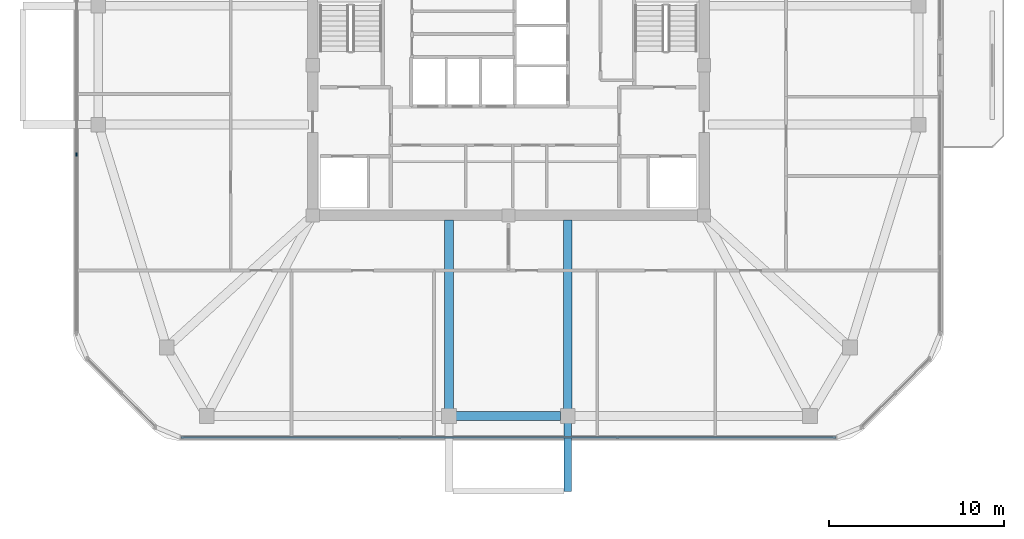
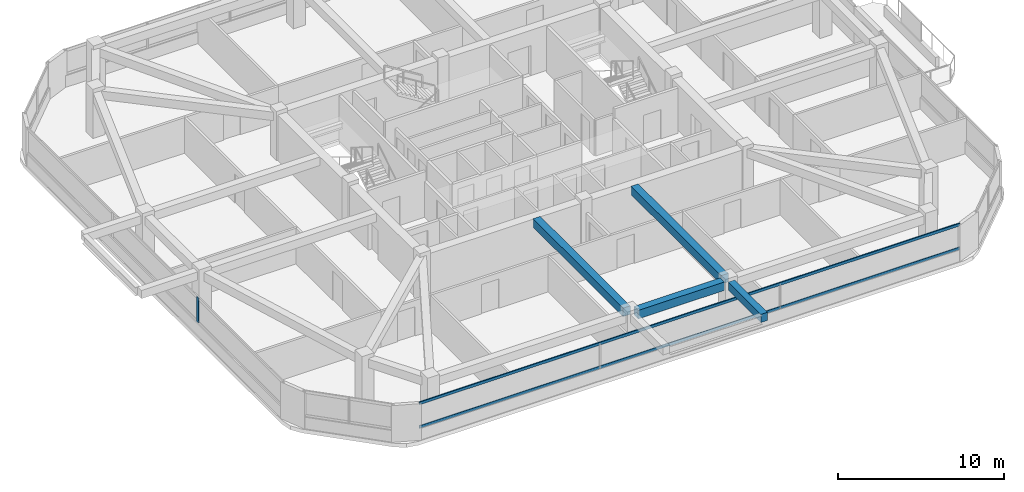
# One storey, part 3 of 14: 4 beams, 3 members, 2 elements without a shape of their own.
"""IFC4 building model written with IfcOpenShell, lengths in metres."""

from ifc_helpers import new_model, si_unit, derived_unit, direction, frame, origin, origin_2d, place, context, subcontext, project, spatial, rectangle, extrude, material, material_profile, profile_set, type_object, element, aggregate, save


model = new_model("IFC4")

# Units and contexts
model_context = context("Model", 3, precision=1e-05, world=origin(), true_north=direction((0.0, 1.0)))
body_context = subcontext(model_context, "Body", "Model", "MODEL_VIEW")
ifc_project = project(units=[si_unit("LENGTHUNIT", "METRE"), si_unit("AREAUNIT", "SQUARE_METRE"), si_unit("VOLUMEUNIT", "CUBIC_METRE"), si_unit("PLANEANGLEUNIT", "RADIAN"), si_unit("MASSUNIT", "GRAM", prefix="KILO"), derived_unit("THERMALTRANSMITTANCEUNIT", [(si_unit("POWERUNIT", "WATT"), 1), (si_unit("LENGTHUNIT", "METRE"), -2), (si_unit("THERMODYNAMICTEMPERATUREUNIT", "KELVIN"), -1)])], contexts=[model_context])

# Site, building, storey
site_placement = place(None, origin())
site = spatial("IfcSite", under=ifc_project, at=site_placement, CompositionType="ELEMENT")
building_placement = place(site_placement, origin())
building = spatial("IfcBuilding", under=site, at=building_placement, Name="Koralith Skygarden Medical Center", CompositionType="ELEMENT")
storey_placement = place(building_placement, frame((0.0, 0.0, 275.219970703125)))
storey = spatial("IfcBuildingStorey", under=building, at=storey_placement, Name="L71", CompositionType="ELEMENT", Elevation=275.219970703125)

# Curtain wall, member
ifc_material_1 = material(Name="Clear Laminated Glass", Category="glass")
curtain_wall_type = type_object("IfcCurtainWallType", Name="CW-6 Zone 5 Upper Clinical Curtain Wall", PredefinedType="NOTDEFINED", material=ifc_material_1)
curtain_wall_1_placement = place(storey_placement, origin())
curtain_wall_1 = element("IfcCurtainWall", 1, at=curtain_wall_1_placement, inside=storey, type_object=curtain_wall_type, Name="Curtain Wall CW-L71-W", PredefinedType="NOTDEFINED")
ifc_material_2 = material(Name="Aluminium 6063-T6", Category="aluminium")
ifc_material_profile_1 = material_profile(ifc_material_2, rectangle(XDim=0.0830078125, YDim=0.219970703125, at=origin_2d()), Name="MUL83X220")
ifc_profile_set_1 = profile_set([ifc_material_profile_1], Name="Aluminium 6063-T6")
member_type_1 = type_object("IfcMemberType", Name="CW-6 Extruded Mullion 83x220", PredefinedType="MULLION", material=ifc_profile_set_1)
member_1_placement = place(storey_placement, frame((12.280029296875, 20.784912109375, 0.85009765625), z_axis=(0.0, 0.0, 1.0), x_axis=(1.0, 0.0, 0.0)))
member_1 = element("IfcMember", 2, at=member_1_placement, type_object=member_type_1, Name="CW-L71-W Mullion 3", PredefinedType="MULLION", context=body_context, shape_type="SweptSolid", body=[
    extrude(rectangle(XDim=0.0830078125, YDim=0.219970703125, at=origin_2d()), origin(), (0.0, 0.0, 1.0), 1.83984375),
])
aggregate(curtain_wall_1, [member_1])

# Curtain wall, members
curtain_wall_2_placement = place(storey_placement, origin())
curtain_wall_2 = element("IfcCurtainWall", 3, at=curtain_wall_2_placement, inside=storey, type_object=curtain_wall_type, Name="Curtain Wall CW-L71-S", PredefinedType="NOTDEFINED")
ifc_material_profile_2 = material_profile(ifc_material_2, rectangle(XDim=0.077880859375, YDim=0.197998046875, at=origin_2d()), Name="TRN78X198")
ifc_profile_set_2 = profile_set([ifc_material_profile_2], Name="Aluminium 6063-T6")
member_type_2 = type_object("IfcMemberType", Name="CW-6 Thermal Transom 78x198", PredefinedType="USERDEFINED", material=ifc_profile_set_2)
member_2_placement = place(storey_placement, frame((18.2548828125, 4.580078125, 0.900146484375), z_axis=(1.0, 0.0, 0.0), x_axis=(0.0, 1.0, 0.0)))
member_2 = element("IfcMember", 4, at=member_2_placement, type_object=member_type_2, Name="CW-L71-S Transom 1", ObjectType="TRANSOM", PredefinedType="USERDEFINED", context=body_context, shape_type="SweptSolid", body=[
    extrude(rectangle(XDim=0.077880859375, YDim=0.197998046875, at=origin_2d()), origin(), (0.0, 0.0, 1.0), 37.490234375),
])
member_3_placement = place(storey_placement, frame((18.2548828125, 4.580078125, 2.64013671875), z_axis=(1.0, 0.0, 0.0), x_axis=(0.0, 1.0, 0.0)))
member_3 = element("IfcMember", 5, at=member_3_placement, type_object=member_type_2, Name="CW-L71-S Transom 2", ObjectType="TRANSOM", PredefinedType="USERDEFINED", context=body_context, shape_type="SweptSolid", body=[
    extrude(rectangle(XDim=0.077880859375, YDim=0.197998046875, at=origin_2d()), origin(), (0.0, 0.0, 1.0), 37.490234375),
])
aggregate(curtain_wall_2, [member_2, member_3])

# Beams
ifc_material_3 = material(Name="Concrete C45/55", Category="concrete")
ifc_material_profile_3 = material_profile(ifc_material_3, rectangle(XDim=0.449951171875, YDim=0.60009765625, at=origin_2d()), Name="RCB450X600")
ifc_profile_set_3 = profile_set([ifc_material_profile_3], Name="Concrete C45/55")
beam_type_1 = type_object("IfcBeamType", Name="Planted Balcony Cantilever Beam RCB450X600", PredefinedType="BEAM", material=ifc_profile_set_3)
beam_1_placement = place(storey_placement, frame((40.39990234375, 5.419921875, 3.0400390625), z_axis=(0.0, -1.0, 0.0), x_axis=(1.0, 0.0, 0.0)))
element("IfcBeam", 6, at=beam_1_placement, inside=storey, type_object=beam_type_1, Name="L72 S Balcony Cantilever Beam B", PredefinedType="BEAM", context=body_context, shape_type="SweptSolid", body=[
    extrude(rectangle(XDim=0.449951171875, YDim=0.60009765625, at=origin_2d()), origin(), (0.0, 0.0, 1.0), 3.919921875),
])
ifc_material_profile_4 = material_profile(ifc_material_3, rectangle(XDim=0.5, YDim=0.6201171875, at=origin_2d()), Name="RCB500X620")
ifc_profile_set_4 = profile_set([ifc_material_profile_4], Name="Concrete C45/55")
beam_type_2 = type_object("IfcBeamType", Name="Upper Radial Collector Beam RCB500X620", PredefinedType="BEAM", material=ifc_profile_set_4)
for number, where, z_axis, x_axis, name in (
    (7, (33.60009765625, 17.050048828125, 3.010009765625), (0.0, -1.0, 0.0), (1.0, 0.0, 0.0), "L71 Radial Collector Beam RB-04"),
    (8, (40.39990234375, 17.050048828125, 3.010009765625), (0.0, -1.0, 0.0), (1.0, 0.0, 0.0), "L71 Radial Collector Beam RB-05"),
):
    element("IfcBeam", number, at=place(storey_placement, frame(where, z_axis=z_axis, x_axis=x_axis)), inside=storey, type_object=beam_type_2, Name=name, PredefinedType="BEAM", context=body_context, shape_type="SweptSolid", body=[
        extrude(rectangle(XDim=0.5, YDim=0.6201171875, at=origin_2d()), origin(), (0.0, 0.0, 1.0), 10.820068359375),
    ])
ifc_material_profile_5 = material_profile(ifc_material_3, rectangle(XDim=0.5, YDim=0.6201171875, at=origin_2d()), Name="RCB500X620")
ifc_profile_set_5 = profile_set([ifc_material_profile_5], Name="Concrete C45/55")
beam_type_3 = type_object("IfcBeamType", Name="Zone 4-5 Spandrel Beam RCB500X620", PredefinedType="SPANDREL", material=ifc_profile_set_5)
beam_2_placement = place(storey_placement, frame((34.010009765625, 5.820068359375, 3.010009765625), z_axis=(1.0, 0.0, 0.0), x_axis=(0.0, 1.0, 0.0)))
element("IfcBeam", 9, at=beam_2_placement, inside=storey, type_object=beam_type_3, Name="L71 Perimeter Spandrel Beam SP-04", PredefinedType="SPANDREL", context=body_context, shape_type="SweptSolid", body=[
    extrude(rectangle(XDim=0.5, YDim=0.6201171875, at=origin_2d()), origin(), (0.0, 0.0, 1.0), 5.97998046875),
])

save(model, "model.ifc")
